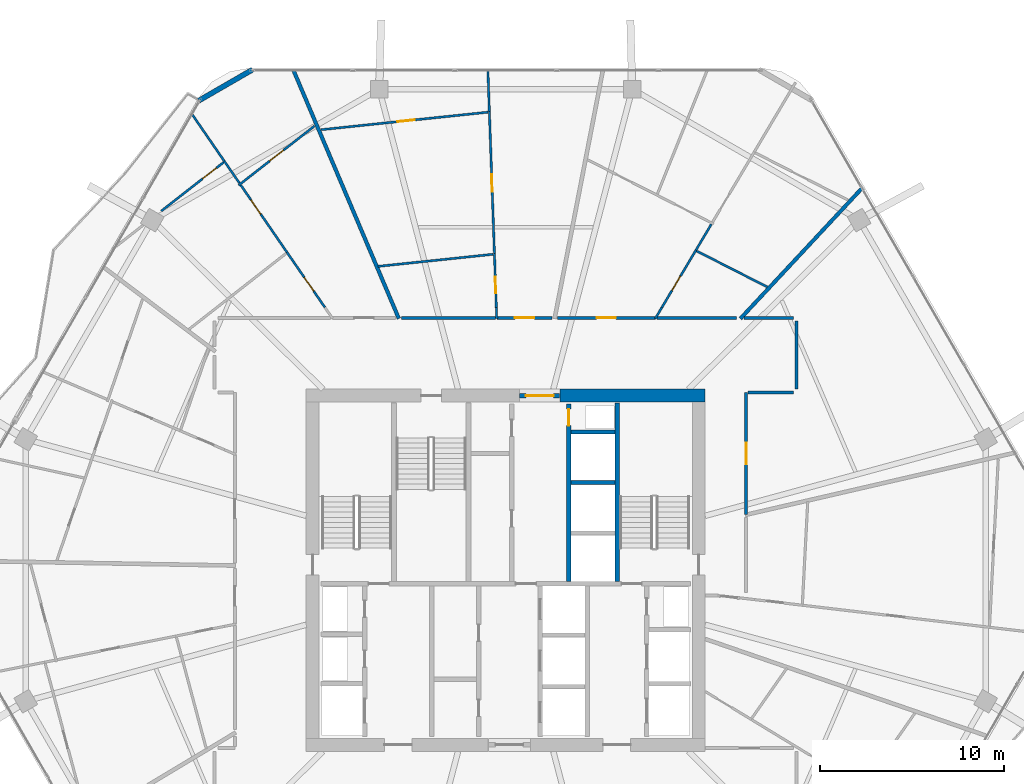
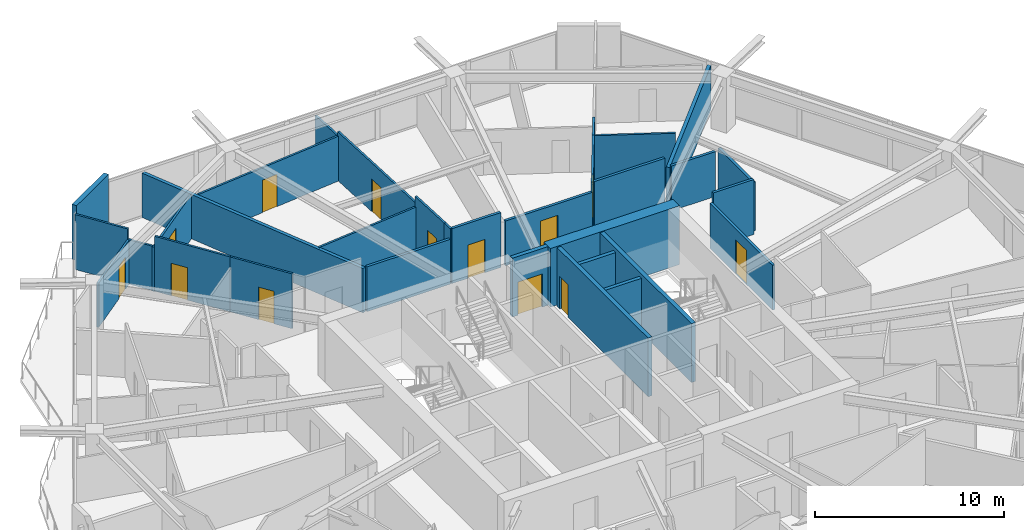
# One storey, part 21 of 26: 33 walls, 13 doors, 13 openings.
"""IFC4 building model written with IfcOpenShell, lengths in metres."""

from ifc_helpers import new_model, si_unit, direction, frame, frame_2d, origin, place, context, subcontext, project, spatial, rectangle, extrude, material, layer, layer_set, type_object, element, fill, save


model = new_model("IFC4")

# Units and contexts
model_context = context("Model", 3, precision=1e-05, world=origin(), true_north=direction((0.0, 1.0)))
body_context = subcontext(model_context, "Body", "Model", "MODEL_VIEW")
ifc_project = project(units=[si_unit("LENGTHUNIT", "METRE"), si_unit("AREAUNIT", "SQUARE_METRE"), si_unit("VOLUMEUNIT", "CUBIC_METRE"), si_unit("PLANEANGLEUNIT", "RADIAN"), si_unit("MASSUNIT", "GRAM", prefix="KILO")], contexts=[model_context])

# Site, building, storey
site_placement = place(None, origin())
site = spatial("IfcSite", under=ifc_project, at=site_placement, CompositionType="ELEMENT")
building_placement = place(site_placement, origin())
building = spatial("IfcBuilding", under=site, at=building_placement, Name="Zuhravey Tower", CompositionType="ELEMENT")
storey_placement = place(building_placement, frame((0.0, 0.0, 211.199951171875)))
storey = spatial("IfcBuildingStorey", under=building, at=storey_placement, Name="L53", CompositionType="ELEMENT", Elevation=211.199951171875)

# Wall
ifc_material_1 = material(Name="Concrete C60/75", Category="concrete")
ifc_layer_1 = layer(ifc_material_1, 0.699951171875)
ifc_layer_set_1 = layer_set([ifc_layer_1], Name="Concrete C60/75")
wall_type_1 = type_object("IfcWallType", Name="Core Shear Wall 700", PredefinedType="SHEAR", material=ifc_layer_set_1)
wall_1_placement = place(storey_placement, frame((46.85009765625, 41.5, 0.0), z_axis=(0.0, 0.0, 1.0), x_axis=(-1.0, 0.0, 0.0)))
element("IfcWall", 1, at=wall_1_placement, inside=storey, type_object=wall_type_1, Name="L53 North-East Core Shear Wall CW70", PredefinedType="SHEAR", context=body_context, shape_type="SweptSolid", body=[
    extrude(rectangle(XDim=7.900146484375, YDim=0.699951171875, at=frame_2d((3.9501953125, 0.0))), origin(), (0.0, 0.0, 1.0), 3.800048828125),
])

# Wall, opening, door
ifc_material_2 = material(Name="Gypsum fire-rated stud partition")
ifc_layer_2 = layer(ifc_material_2, 0.159912109375)
ifc_layer_set_2 = layer_set([ifc_layer_2], Name="Gypsum fire-rated stud partition")
wall_type_2 = type_object("IfcWallType", Name="Corridor Fire Partition 160", PredefinedType="PARTITIONING", material=ifc_layer_set_2)
wall_2_placement = place(storey_placement, frame((44.135498046875, 45.72998046875, 0.0), z_axis=(0.0, 0.0, 1.0), x_axis=(-1.0, 0.0, 0.0)))
wall_2 = element("IfcWall", 2, at=wall_2_placement, inside=storey, type_object=wall_type_2, Name="L53 IW16 Partition 025", PredefinedType="PARTITIONING", context=body_context, shape_type="SweptSolid", body=[
    extrude(rectangle(XDim=5.32177734375, YDim=0.159912109375, at=frame_2d((2.660888671875, 0.0))), origin(), (0.0, 0.0, 1.0), 2.900146484375),
])
opening_1_placement = place(wall_2_placement, frame((2.135986328125, 0.0, 0.0)))
opening_1 = element("IfcOpeningElement", 3, at=opening_1_placement, cuts=wall_2, Name="Opening APD1", PredefinedType="OPENING", context=body_context, shape_type="SweptSolid", body=[
    extrude(rectangle(XDim=1.050048828125, YDim=2.14990234375, at=frame_2d((0.52490234375, 1.074951171875))), frame((0.0, 0.092041015625, 0.0), z_axis=(0.0, -1.0, 0.0), x_axis=(1.0, 0.0, 0.0)), (0.0, 0.0, 1.0), 0.183837890625),
])
ifc_material_3 = material(Name="Solid-core oak fire-rated leaf")
door_type_1 = type_object("IfcDoorType", Name="Apartment Entrance Fire Door 1050x2150", OperationType="NOTDEFINED", PredefinedType="DOOR", material=ifc_material_3)
door_1_placement = place(opening_1_placement, frame((1.050048828125, 0.0, 0.0), z_axis=(0.0, 0.0, 1.0), x_axis=(-1.0, 0.0, 0.0)))
door_1 = element("IfcDoor", 4, at=door_1_placement, inside=storey, type_object=door_type_1, Name="L53 Door 025.1", OperationType="SINGLE_SWING_RIGHT", OverallHeight=2.14990234375, OverallWidth=1.050048828125, PredefinedType="DOOR", context=body_context, shape_type="SweptSolid", body=[
    extrude(rectangle(XDim=1.050048828125, YDim=2.14990234375, at=frame_2d((0.52490234375, 1.074951171875))), frame((0.0, 0.02490234375, 0.0), z_axis=(0.0, -1.0, 0.0), x_axis=(1.0, 0.0, 0.0)), (0.0, 0.0, 1.0), 0.050048828125),
])
fill(opening_1, door_1)

wall_3_placement = place(storey_placement, frame((38.5244140625, 45.72998046875, 0.0), z_axis=(0.0, 0.0, 1.0), x_axis=(-1.0, 0.0, 0.0)))
wall_3 = element("IfcWall", 5, at=wall_3_placement, inside=storey, type_object=wall_type_2, Name="L53 IW16 Partition 029", PredefinedType="PARTITIONING", context=body_context, shape_type="SweptSolid", body=[
    extrude(rectangle(XDim=2.993408203125, YDim=0.159912109375, at=frame_2d((1.49658203125, 0.0))), origin(), (0.0, 0.0, 1.0), 3.550048828125),
])
opening_2_placement = place(wall_3_placement, frame((0.9716796875, 0.0, 0.0)))
opening_2 = element("IfcOpeningElement", 6, at=opening_2_placement, cuts=wall_3, Name="Opening APD1", PredefinedType="OPENING", context=body_context, shape_type="SweptSolid", body=[
    extrude(rectangle(XDim=1.050048828125, YDim=2.14990234375, at=frame_2d((0.52490234375, 1.074951171875))), frame((0.0, 0.092041015625, 0.0), z_axis=(0.0, -1.0, 0.0), x_axis=(1.0, 0.0, 0.0)), (0.0, 0.0, 1.0), 0.183837890625),
])
door_2_placement = place(opening_2_placement, frame((1.050048828125, 0.0, 0.0), z_axis=(0.0, 0.0, 1.0), x_axis=(-1.0, 0.0, 0.0)))
door_2 = element("IfcDoor", 7, at=door_2_placement, inside=storey, type_object=door_type_1, Name="L53 Door 029.1", OperationType="SINGLE_SWING_RIGHT", OverallHeight=2.14990234375, OverallWidth=1.050048828125, PredefinedType="DOOR", context=body_context, shape_type="SweptSolid", body=[
    extrude(rectangle(XDim=1.050048828125, YDim=2.14990234375, at=frame_2d((0.52490234375, 1.074951171875))), frame((0.0, 0.02490234375, 0.0), z_axis=(0.0, -1.0, 0.0), x_axis=(1.0, 0.0, 0.0)), (0.0, 0.0, 1.0), 0.050048828125),
])
fill(opening_2, door_2)

wall_4_placement = place(storey_placement, frame((49.080078125, 35.040283203125, 0.0), z_axis=(0.0, 0.0, 1.0), x_axis=(0.0, 1.0, 0.0)))
wall_4 = element("IfcWall", 8, at=wall_4_placement, inside=storey, type_object=wall_type_2, Name="L53 IW16 Partition 069", PredefinedType="PARTITIONING", context=body_context, shape_type="SweptSolid", body=[
    extrude(rectangle(XDim=6.629638671875, YDim=0.159912109375, at=frame_2d((3.31494140625, 0.0))), origin(), (0.0, 0.0, 1.0), 2.900146484375),
])
opening_3_placement = place(wall_4_placement, frame((2.73974609375, 0.0, 0.0)))
opening_3 = element("IfcOpeningElement", 9, at=opening_3_placement, cuts=wall_4, Name="Opening CLD1", PredefinedType="OPENING", context=body_context, shape_type="SweptSolid", body=[
    extrude(rectangle(XDim=1.14990234375, YDim=2.199951171875, at=frame_2d((0.574951171875, 1.10009765625))), frame((0.0, 0.092041015625, 0.0), z_axis=(0.0, -1.0, 0.0), x_axis=(1.0, 0.0, 0.0)), (0.0, 0.0, 1.0), 0.183837890625),
])
ifc_material_4 = material(Name="Acoustic timber leaf with vision lite", Category="wood")
door_type_2 = type_object("IfcDoorType", Name="Classroom Acoustic Door 1150x2200", OperationType="NOTDEFINED", PredefinedType="DOOR", material=ifc_material_4)
door_3_placement = place(opening_3_placement, frame((1.14990234375, 0.0, 0.0), z_axis=(0.0, 0.0, 1.0), x_axis=(-1.0, 0.0, 0.0)))
door_3 = element("IfcDoor", 10, at=door_3_placement, inside=storey, type_object=door_type_2, Name="L53 Door 069.1", OperationType="SINGLE_SWING_RIGHT", OverallHeight=2.199951171875, OverallWidth=1.14990234375, PredefinedType="DOOR", context=body_context, shape_type="SweptSolid", body=[
    extrude(rectangle(XDim=1.14990234375, YDim=2.199951171875, at=frame_2d((0.574951171875, 1.10009765625))), frame((0.0, 0.02490234375, 0.0), z_axis=(0.0, -1.0, 0.0), x_axis=(1.0, 0.0, 0.0)), (0.0, 0.0, 1.0), 0.050048828125),
])
fill(opening_3, door_3)

# Walls
wall_5_placement = place(storey_placement, frame((48.55419921875, 45.72998046875, 0.0), z_axis=(0.0, 0.0, 1.0), x_axis=(-1.0, 0.0, 0.0)))
element("IfcWall", 11, at=wall_5_placement, inside=storey, type_object=wall_type_2, Name="L53 IW16 Partition 122", PredefinedType="PARTITIONING", context=body_context, shape_type="SweptSolid", body=[
    extrude(rectangle(XDim=4.31640625, YDim=0.159912109375, at=frame_2d((2.158203125, 0.0))), origin(), (0.0, 0.0, 1.0), 3.550048828125),
])
wall_6_placement = place(storey_placement, frame((35.44287109375, 45.72998046875, 0.0), z_axis=(0.0, 0.0, 1.0), x_axis=(-1.0, 0.0, 0.0)))
element("IfcWall", 12, at=wall_6_placement, inside=storey, type_object=wall_type_2, Name="L53 IW16 Partition 123", PredefinedType="PARTITIONING", context=body_context, shape_type="SweptSolid", body=[
    extrude(rectangle(XDim=5.1083984375, YDim=0.159912109375, at=frame_2d((2.55419921875, 0.0))), origin(), (0.0, 0.0, 1.0), 2.900146484375),
])
wall_7_placement = place(storey_placement, frame((51.830078125, 41.85009765625, 0.0), z_axis=(0.0, 0.0, 1.0), x_axis=(0.0, 1.0, 0.0)))
element("IfcWall", 13, at=wall_7_placement, inside=storey, type_object=wall_type_2, Name="L53 IW16 Partition 140", PredefinedType="PARTITIONING", context=body_context, shape_type="SweptSolid", body=[
    extrude(rectangle(XDim=3.699951171875, YDim=0.159912109375, at=frame_2d((1.85009765625, 0.0))), origin(), (0.0, 0.0, 1.0), 3.150146484375),
])
wall_8_placement = place(storey_placement, frame((51.64990234375, 45.72998046875, 0.0), z_axis=(0.0, 0.0, 1.0), x_axis=(-1.0, 0.0, 0.0)))
element("IfcWall", 14, at=wall_8_placement, inside=storey, type_object=wall_type_2, Name="L53 IW16 Partition 141", PredefinedType="PARTITIONING", context=body_context, shape_type="SweptSolid", body=[
    extrude(rectangle(XDim=2.69873046875, YDim=0.159912109375, at=frame_2d((1.349365234375, 0.0))), origin(), (0.0, 0.0, 1.0), 2.900146484375),
])
wall_9_placement = place(storey_placement, frame((49.16796875, 41.669921875, 0.0), z_axis=(0.0, 0.0, 1.0), x_axis=(1.0, 0.0, 0.0)))
element("IfcWall", 15, at=wall_9_placement, inside=storey, type_object=wall_type_2, Name="L53 IW16 Partition 142", PredefinedType="PARTITIONING", context=body_context, shape_type="SweptSolid", body=[
    extrude(rectangle(XDim=2.48193359375, YDim=0.159912109375, at=frame_2d((1.240966796875, 0.0))), origin(), (0.0, 0.0, 1.0), 3.550048828125),
])
ifc_material_5 = material(Name="Precast concrete C40/50", Category="concrete")
ifc_layer_3 = layer(ifc_material_5, 0.280029296875)
ifc_layer_set_3 = layer_set([ifc_layer_3], Name="Precast concrete C40/50")
wall_type_3 = type_object("IfcWallType", Name="Crown Architectural Wall 280", PredefinedType="SOLIDWALL", material=ifc_layer_set_3)
wall_10_placement = place(storey_placement, frame((19.306884765625, 57.548095703125, 0.0), z_axis=(0.0, 0.0, 1.0), x_axis=(0.866020068361, 0.500009241111, 0.0)))
element("IfcWall", 16, at=wall_10_placement, inside=storey, type_object=wall_type_3, Name="L53 Rounded Corner Closure Wall EW28-08", PredefinedType="SOLIDWALL", context=body_context, shape_type="SweptSolid", body=[
    extrude(rectangle(XDim=3.365234375, YDim=0.280029296875, at=frame_2d((1.6826171875, 0.0))), origin(), (0.0, 0.0, 1.0), 3.550048828125),
])

# Wall, opening, door
ifc_material_6 = material(Name="Concrete C50/60", Category="concrete")
ifc_layer_4 = layer(ifc_material_6, 0.25)
ifc_layer_set_4 = layer_set([ifc_layer_4], Name="Concrete C50/60")
wall_type_4 = type_object("IfcWallType", Name="Firefighting Shaft & Stair Wall 250", PredefinedType="SOLIDWALL", material=ifc_layer_set_4)
wall_11_placement = place(storey_placement, frame((36.760009765625, 41.5, 0.0), z_axis=(0.0, 0.0, 1.0), x_axis=(1.0, 0.0, 0.0)))
wall_11 = element("IfcWall", 17, at=wall_11_placement, inside=storey, type_object=wall_type_4, Name="L53 FW25 Shaft Wall 002", PredefinedType="SOLIDWALL", context=body_context, shape_type="SweptSolid", body=[
    extrude(rectangle(XDim=2.179931640625, YDim=0.25, at=frame_2d((1.08984375, 0.0))), origin(), (0.0, 0.0, 1.0), 3.800048828125),
])
opening_4_placement = place(wall_11_placement, frame((0.340087890625, 0.0, 0.0)))
opening_4 = element("IfcOpeningElement", 18, at=opening_4_placement, cuts=wall_11, Name="Opening FFD1", PredefinedType="OPENING", context=body_context, shape_type="SweptSolid", body=[
    extrude(rectangle(XDim=1.5, YDim=2.14990234375, at=frame_2d((0.75, 1.074951171875))), frame((0.0, 0.136962890625, 0.0), z_axis=(0.0, -1.0, 0.0), x_axis=(1.0, 0.0, 0.0)), (0.0, 0.0, 1.0), 0.27392578125),
])
ifc_material_7 = material(Name="Galvanised fire-rated steel leaf", Category="steel")
door_type_3 = type_object("IfcDoorType", Name="Firefighting Lobby Double Door 1500x2150", OperationType="DOUBLE_DOOR_SINGLE_SWING", PredefinedType="DOOR", material=ifc_material_7)
door_4_placement = place(opening_4_placement, origin())
door_4 = element("IfcDoor", 19, at=door_4_placement, inside=storey, type_object=door_type_3, Name="L53 North Lift Lobby Exit Door", OperationType="DOUBLE_DOOR_SINGLE_SWING", OverallHeight=2.14990234375, OverallWidth=1.5, PredefinedType="DOOR", context=body_context, shape_type="SweptSolid", body=[
    extrude(rectangle(XDim=1.5, YDim=2.14990234375, at=frame_2d((0.75, 1.074951171875))), frame((0.0, 0.02490234375, 0.0), z_axis=(0.0, -1.0, 0.0), x_axis=(1.0, 0.0, 0.0)), (0.0, 0.0, 1.0), 0.050048828125),
])
fill(opening_4, door_4)

# Wall
wall_12_placement = place(storey_placement, frame((42.074951171875, 31.39990234375, 0.0), z_axis=(0.0, 0.0, 1.0), x_axis=(0.0, 1.0, 0.0)))
element("IfcWall", 20, at=wall_12_placement, inside=storey, type_object=wall_type_4, Name="L53 FW25 Shaft Wall 006", PredefinedType="SOLIDWALL", context=body_context, shape_type="SweptSolid", body=[
    extrude(rectangle(XDim=9.7001953125, YDim=0.25, at=frame_2d((4.85009765625, 0.0))), origin(), (0.0, 0.0, 1.0), 3.800048828125),
])

# Wall, opening, door
wall_13_placement = place(storey_placement, frame((39.425048828125, 31.39990234375, 0.0), z_axis=(0.0, 0.0, 1.0), x_axis=(0.0, 1.0, 0.0)))
wall_13 = element("IfcWall", 21, at=wall_13_placement, inside=storey, type_object=wall_type_4, Name="L53 FW25 Shaft Wall 008", PredefinedType="SOLIDWALL", context=body_context, shape_type="SweptSolid", body=[
    extrude(rectangle(XDim=9.650146484375, YDim=0.25, at=frame_2d((4.8251953125, 0.0))), origin(), (0.0, 0.0, 1.0), 3.800048828125),
])
opening_5_placement = place(wall_13_placement, frame((8.469970703125, 0.0, 0.0)))
opening_5 = element("IfcOpeningElement", 22, at=opening_5_placement, cuts=wall_13, Name="Opening RSD1", PredefinedType="OPENING", context=body_context, shape_type="SweptSolid", body=[
    extrude(rectangle(XDim=0.89990234375, YDim=2.10009765625, at=frame_2d((0.449951171875, 1.050048828125))), frame((0.0, 0.136962890625, 0.0), z_axis=(0.0, -1.0, 0.0), x_axis=(1.0, 0.0, 0.0)), (0.0, 0.0, 1.0), 0.27392578125),
])
ifc_material_8 = material(Name="Galvanised fire-rated steel access leaf", Category="steel")
door_type_4 = type_object("IfcDoorType", Name="Riser & Shaft Access Fire Door 900x2100", OperationType="NOTDEFINED", PredefinedType="DOOR", material=ifc_material_8)
door_5_placement = place(opening_5_placement, origin())
door_5 = element("IfcDoor", 23, at=door_5_placement, inside=storey, type_object=door_type_4, Name="L53 North Riser Door", OperationType="SINGLE_SWING_LEFT", OverallHeight=2.10009765625, OverallWidth=0.89990234375, PredefinedType="DOOR", context=body_context, shape_type="SweptSolid", body=[
    extrude(rectangle(XDim=0.89990234375, YDim=2.10009765625, at=frame_2d((0.449951171875, 1.050048828125))), frame((0.0, 0.02490234375, 0.0), z_axis=(0.0, -1.0, 0.0), x_axis=(1.0, 0.0, 0.0)), (0.0, 0.0, 1.0), 0.050048828125),
])
fill(opening_5, door_5)

# Walls
ifc_material_9 = material(Name="Gypsum double-stud party assembly")
ifc_layer_5 = layer(ifc_material_9, 0.199951171875)
ifc_layer_set_5 = layer_set([ifc_layer_5], Name="Gypsum double-stud party assembly")
wall_type_5 = type_object("IfcWallType", Name="Inter-Tenancy Party Wall 200", PredefinedType="PARTITIONING", material=ifc_layer_set_5)
wall_14_placement = place(storey_placement, frame((48.76611328125, 45.68994140625, 0.0), z_axis=(0.0, 0.0, 1.0), x_axis=(0.682001842328, 0.731350454338, 0.0)))
element("IfcWall", 24, at=wall_14_placement, inside=storey, type_object=wall_type_5, Name="L53 IW20 Partition 076", PredefinedType="PARTITIONING", context=body_context, shape_type="SweptSolid", body=[
    extrude(rectangle(XDim=9.70654296875, YDim=0.199951171875, at=frame_2d((4.853271484375, 0.0))), origin(), (0.0, 0.0, 1.0), 2.8701171875),
])
wall_15_placement = place(storey_placement, frame((30.18896484375, 45.68994140625, 0.0), z_axis=(0.0, 0.0, 1.0), x_axis=(-0.390732904656, 0.920504099512, 0.0)))
element("IfcWall", 25, at=wall_15_placement, inside=storey, type_object=wall_type_5, Name="L53 IW20 Partition 085", PredefinedType="PARTITIONING", context=body_context, shape_type="SweptSolid", body=[
    extrude(rectangle(XDim=14.658447265625, YDim=0.199951171875, at=frame_2d((7.3291015625, 0.0))), origin(), (0.0, 0.0, 1.0), 2.8701171875),
])
ifc_material_10 = material(Name="Gypsum acoustic stud assembly")
ifc_layer_6 = layer(ifc_material_10, 0.219970703125)
ifc_layer_set_6 = layer_set([ifc_layer_6], Name="Gypsum acoustic stud assembly")
wall_type_6 = type_object("IfcWallType", Name="School Acoustic Compartment Wall 220", PredefinedType="PARTITIONING", material=ifc_layer_set_6)
for number, where, z_axis, x_axis, name in (
    (26, (39.55810546875, 36.77490234375, 0.0), (0.0, 0.0, 1.0), (1.0, 0.0, 0.0), "L53 IW22 Partition 072"),
    (27, (39.55810546875, 39.52490234375, 0.0), (0.0, 0.0, 1.0), (1.0, 0.0, 0.0), "L53 IW22 Partition 073"),
):
    element("IfcWall", number, at=place(storey_placement, frame(where, z_axis=z_axis, x_axis=x_axis)), inside=storey, type_object=wall_type_6, Name=name, PredefinedType="PARTITIONING", context=body_context, shape_type="SweptSolid", body=[
        extrude(rectangle(XDim=2.3837890625, YDim=0.219970703125, at=frame_2d((1.19189453125, 0.0))), origin(), (0.0, 0.0, 1.0), 3.550048828125),
    ])

# Wall, opening, door
ifc_material_11 = material(Name="Gypsum metal-stud partition")
ifc_layer_7 = layer(ifc_material_11, 0.1201171875)
ifc_layer_set_7 = layer_set([ifc_layer_7], Name="Gypsum metal-stud partition")
wall_type_7 = type_object("IfcWallType", Name="Unit Internal Partition 120", PredefinedType="PARTITIONING", material=ifc_layer_set_7)
wall_16_placement = place(storey_placement, frame((44.49755859375, 46.300048828125, 0.0), z_axis=(0.0, 0.0, 1.0), x_axis=(0.510815768273, 0.859690206344, 0.0)))
wall_16 = element("IfcWall", 28, at=wall_16_placement, inside=storey, type_object=wall_type_7, Name="L53 IW12 Partition 021", PredefinedType="PARTITIONING", context=body_context, shape_type="SweptSolid", body=[
    extrude(rectangle(XDim=3.624267578125, YDim=0.1201171875, at=frame_2d((1.81201171875, 0.0))), origin(), (0.0, 0.0, 1.0), 3.550048828125),
])
opening_6_placement = place(wall_16_placement, frame((1.072265625, 0.0, 0.0)))
opening_6 = element("IfcOpeningElement", 29, at=opening_6_placement, cuts=wall_16, Name="Opening WCD1", PredefinedType="OPENING", context=body_context, shape_type="SweptSolid", body=[
    extrude(rectangle(XDim=0.89990234375, YDim=2.10009765625, at=frame_2d((0.449951171875, 1.050048828125))), frame((0.0, 0.072021484375, 0.0), z_axis=(0.0, -1.0, 0.0), x_axis=(1.0, 0.0, 0.0)), (0.0, 0.0, 1.0), 0.14404296875),
])
ifc_material_12 = material(Name="Moisture-resistant timber leaf", Category="wood")
door_type_5 = type_object("IfcDoorType", Name="Bathroom & WC Internal Door 900x2100", OperationType="NOTDEFINED", PredefinedType="DOOR", material=ifc_material_12)
door_6_placement = place(opening_6_placement, frame((0.89990234375, 0.0, 0.0), z_axis=(0.0, 0.0, 1.0), x_axis=(-1.0, 0.0, 0.0)))
door_6 = element("IfcDoor", 30, at=door_6_placement, inside=storey, type_object=door_type_5, Name="Apartment L53-01 Bathroom Door", OperationType="SINGLE_SWING_LEFT", OverallHeight=2.10009765625, OverallWidth=0.89990234375, PredefinedType="DOOR", context=body_context, shape_type="SweptSolid", body=[
    extrude(rectangle(XDim=0.89990234375, YDim=2.10009765625, at=frame_2d((0.449951171875, 1.050048828125))), frame((0.0, 0.02490234375, 0.0), z_axis=(0.0, -1.0, 0.0), x_axis=(1.0, 0.0, 0.0)), (0.0, 0.0, 1.0), 0.050048828125),
])
fill(opening_6, door_6)

# Wall
wall_17_placement = place(storey_placement, frame((46.34912109375, 49.415771484375, 0.0), z_axis=(0.0, 0.0, 1.0), x_axis=(0.510810635224, 0.859693256308, 0.0)))
element("IfcWall", 31, at=wall_17_placement, inside=storey, type_object=wall_type_7, Name="L53 IW12 Partition 022", PredefinedType="PARTITIONING", context=body_context, shape_type="SweptSolid", body=[
    extrude(rectangle(XDim=1.638916015625, YDim=0.1201171875, at=frame_2d((0.8193359375, 0.0))), origin(), (0.0, 0.0, 1.0), 3.550048828125),
])

# Wall, opening, door
wall_18_placement = place(storey_placement, frame((35.490478515625, 46.300048828125, 0.0), z_axis=(0.0, 0.0, 1.0), x_axis=(-0.035486032523, 0.999370172406, 0.0)))
wall_18 = element("IfcWall", 32, at=wall_18_placement, inside=storey, type_object=wall_type_7, Name="L53 IW12 Partition 026", PredefinedType="PARTITIONING", context=body_context, shape_type="SweptSolid", body=[
    extrude(rectangle(XDim=2.924072265625, YDim=0.1201171875, at=frame_2d((1.4619140625, 0.0))), origin(), (0.0, 0.0, 1.0), 3.550048828125),
])
opening_7_placement = place(wall_18_placement, frame((0.778076171875, 0.0, 0.0)))
opening_7 = element("IfcOpeningElement", 33, at=opening_7_placement, cuts=wall_18, Name="Opening WCD1", PredefinedType="OPENING", context=body_context, shape_type="SweptSolid", body=[
    extrude(rectangle(XDim=0.89990234375, YDim=2.10009765625, at=frame_2d((0.449951171875, 1.050048828125))), frame((0.0, 0.072021484375, 0.0), z_axis=(0.0, -1.0, 0.0), x_axis=(1.0, 0.0, 0.0)), (0.0, 0.0, 1.0), 0.14404296875),
])
door_7_placement = place(opening_7_placement, origin())
door_7 = element("IfcDoor", 34, at=door_7_placement, inside=storey, type_object=door_type_5, Name="Apartment L53-02 Bathroom Door", OperationType="SINGLE_SWING_LEFT", OverallHeight=2.10009765625, OverallWidth=0.89990234375, PredefinedType="DOOR", context=body_context, shape_type="SweptSolid", body=[
    extrude(rectangle(XDim=0.89990234375, YDim=2.10009765625, at=frame_2d((0.449951171875, 1.050048828125))), frame((0.0, 0.02490234375, 0.0), z_axis=(0.0, -1.0, 0.0), x_axis=(1.0, 0.0, 0.0)), (0.0, 0.0, 1.0), 0.050048828125),
])
fill(opening_7, door_7)

wall_19_placement = place(storey_placement, frame((35.386474609375, 49.22216796875, 0.0), z_axis=(0.0, 0.0, 1.0), x_axis=(-0.035603715275, 0.999365986743, 0.0)))
wall_19 = element("IfcWall", 35, at=wall_19_placement, inside=storey, type_object=wall_type_7, Name="L53 IW12 Partition 027", PredefinedType="PARTITIONING", context=body_context, shape_type="SweptSolid", body=[
    extrude(rectangle(XDim=7.73486328125, YDim=0.1201171875, at=frame_2d((3.867431640625, 0.0))), origin(), (0.0, 0.0, 1.0), 3.150146484375),
])
opening_8_placement = place(wall_19_placement, frame((3.367431640625, 0.0, 0.0)))
opening_8 = element("IfcOpeningElement", 36, at=opening_8_placement, cuts=wall_19, Name="Opening IND1", PredefinedType="OPENING", context=body_context, shape_type="SweptSolid", body=[
    extrude(rectangle(XDim=0.949951171875, YDim=2.10009765625, at=frame_2d((0.47509765625, 1.050048828125))), frame((0.0, 0.072021484375, 0.0), z_axis=(0.0, -1.0, 0.0), x_axis=(1.0, 0.0, 0.0)), (0.0, 0.0, 1.0), 0.14404296875),
])
ifc_material_13 = material(Name="Painted engineered timber leaf", Category="wood")
door_type_6 = type_object("IfcDoorType", Name="Internal Room & Bedroom Door 950x2100", OperationType="NOTDEFINED", PredefinedType="DOOR", material=ifc_material_13)
door_8_placement = place(opening_8_placement, origin())
door_8 = element("IfcDoor", 37, at=door_8_placement, inside=storey, type_object=door_type_6, Name="Apartment L53-02 Home Office Door", OperationType="SINGLE_SWING_RIGHT", OverallHeight=2.10009765625, OverallWidth=0.949951171875, PredefinedType="DOOR", context=body_context, shape_type="SweptSolid", body=[
    extrude(rectangle(XDim=0.949951171875, YDim=2.10009765625, at=frame_2d((0.47509765625, 1.050048828125))), frame((0.0, 0.02490234375, 0.0), z_axis=(0.0, -1.0, 0.0), x_axis=(1.0, 0.0, 0.0)), (0.0, 0.0, 1.0), 0.050048828125),
])
fill(opening_8, door_8)

wall_20_placement = place(storey_placement, frame((35.044189453125, 56.919921875, 0.0), z_axis=(0.0, 0.0, 1.0), x_axis=(-0.994523900714, -0.104509381914, 0.0)))
wall_20 = element("IfcWall", 38, at=wall_20_placement, inside=storey, type_object=wall_type_7, Name="L53 IW12 Partition 028", PredefinedType="PARTITIONING", context=body_context, shape_type="SweptSolid", body=[
    extrude(rectangle(XDim=9.12939453125, YDim=0.1201171875, at=frame_2d((4.564697265625, 0.0))), origin(), (0.0, 0.0, 1.0), 2.900146484375),
])
opening_9_placement = place(wall_20_placement, frame((4.005615234375, 0.0, 0.0)))
opening_9 = element("IfcOpeningElement", 39, at=opening_9_placement, cuts=wall_20, Name="Opening IND1", PredefinedType="OPENING", context=body_context, shape_type="SweptSolid", body=[
    extrude(rectangle(XDim=0.949951171875, YDim=2.10009765625, at=frame_2d((0.47509765625, 1.050048828125))), frame((0.0, 0.072021484375, 0.0), z_axis=(0.0, -1.0, 0.0), x_axis=(1.0, 0.0, 0.0)), (0.0, 0.0, 1.0), 0.14404296875),
])
door_9_placement = place(opening_9_placement, frame((0.949951171875, 0.0, 0.0), z_axis=(0.0, 0.0, 1.0), x_axis=(-1.0, 0.0, 0.0)))
door_9 = element("IfcDoor", 40, at=door_9_placement, inside=storey, type_object=door_type_6, Name="Apartment L53-02 Bedroom 1 Door", OperationType="SINGLE_SWING_LEFT", OverallHeight=2.10009765625, OverallWidth=0.949951171875, PredefinedType="DOOR", context=body_context, shape_type="SweptSolid", body=[
    extrude(rectangle(XDim=0.949951171875, YDim=2.10009765625, at=frame_2d((0.47509765625, 1.050048828125))), frame((0.0, 0.02490234375, 0.0), z_axis=(0.0, -1.0, 0.0), x_axis=(1.0, 0.0, 0.0)), (0.0, 0.0, 1.0), 0.050048828125),
])
fill(opening_9, door_9)

wall_21_placement = place(storey_placement, frame((25.60009765625, 56.168701171875, 0.0), z_axis=(0.0, 0.0, 1.0), x_axis=(-0.788007411646, -0.615665752816, 0.0)))
wall_21 = element("IfcWall", 41, at=wall_21_placement, inside=storey, type_object=wall_type_7, Name="L53 IW12 Partition 030", PredefinedType="PARTITIONING", context=body_context, shape_type="SweptSolid", body=[
    extrude(rectangle(XDim=5.2373046875, YDim=0.1201171875, at=frame_2d((2.61865234375, 0.0))), origin(), (0.0, 0.0, 1.0), 2.8701171875),
])
opening_10_placement = place(wall_21_placement, frame((2.1435546875, 0.0, 0.0)))
opening_10 = element("IfcOpeningElement", 42, at=opening_10_placement, cuts=wall_21, Name="Opening IND1", PredefinedType="OPENING", context=body_context, shape_type="SweptSolid", body=[
    extrude(rectangle(XDim=0.949951171875, YDim=2.10009765625, at=frame_2d((0.47509765625, 1.050048828125))), frame((0.0, 0.072021484375, 0.0), z_axis=(0.0, -1.0, 0.0), x_axis=(1.0, 0.0, 0.0)), (0.0, 0.0, 1.0), 0.14404296875),
])
door_10_placement = place(opening_10_placement, frame((0.949951171875, 0.0, 0.0), z_axis=(0.0, 0.0, 1.0), x_axis=(-1.0, 0.0, 0.0)))
door_10 = element("IfcDoor", 43, at=door_10_placement, inside=storey, type_object=door_type_6, Name="Apartment L53-03 Family Study Door", OperationType="SINGLE_SWING_LEFT", OverallHeight=2.10009765625, OverallWidth=0.949951171875, PredefinedType="DOOR", context=body_context, shape_type="SweptSolid", body=[
    extrude(rectangle(XDim=0.949951171875, YDim=2.10009765625, at=frame_2d((0.47509765625, 1.050048828125))), frame((0.0, 0.02490234375, 0.0), z_axis=(0.0, -1.0, 0.0), x_axis=(1.0, 0.0, 0.0)), (0.0, 0.0, 1.0), 0.050048828125),
])
fill(opening_10, door_10)

wall_22_placement = place(storey_placement, frame((26.16455078125, 46.300048828125, 0.0), z_axis=(0.0, 0.0, 1.0), x_axis=(-0.566727772042, 0.823905111282, 0.0)))
wall_22 = element("IfcWall", 44, at=wall_22_placement, inside=storey, type_object=wall_type_7, Name="L53 IW12 Partition 031", PredefinedType="PARTITIONING", context=body_context, shape_type="SweptSolid", body=[
    extrude(rectangle(XDim=3.645263671875, YDim=0.1201171875, at=frame_2d((1.82275390625, 0.0))), origin(), (0.0, 0.0, 1.0), 3.550048828125),
])
opening_11_placement = place(wall_22_placement, frame((1.0810546875, 0.0, 0.0)))
opening_11 = element("IfcOpeningElement", 45, at=opening_11_placement, cuts=wall_22, Name="Opening WCD1", PredefinedType="OPENING", context=body_context, shape_type="SweptSolid", body=[
    extrude(rectangle(XDim=0.89990234375, YDim=2.10009765625, at=frame_2d((0.449951171875, 1.050048828125))), frame((0.0, 0.072021484375, 0.0), z_axis=(0.0, -1.0, 0.0), x_axis=(1.0, 0.0, 0.0)), (0.0, 0.0, 1.0), 0.14404296875),
])
door_11_placement = place(opening_11_placement, origin())
door_11 = element("IfcDoor", 46, at=door_11_placement, inside=storey, type_object=door_type_5, Name="Apartment L53-03 Bathroom Door", OperationType="SINGLE_SWING_RIGHT", OverallHeight=2.10009765625, OverallWidth=0.89990234375, PredefinedType="DOOR", context=body_context, shape_type="SweptSolid", body=[
    extrude(rectangle(XDim=0.89990234375, YDim=2.10009765625, at=frame_2d((0.449951171875, 1.050048828125))), frame((0.0, 0.02490234375, 0.0), z_axis=(0.0, -1.0, 0.0), x_axis=(1.0, 0.0, 0.0)), (0.0, 0.0, 1.0), 0.050048828125),
])
fill(opening_11, door_11)

wall_23_placement = place(storey_placement, frame((24.0986328125, 49.303466796875, 0.0), z_axis=(0.0, 0.0, 1.0), x_axis=(-0.566659925213, 0.823951775991, 0.0)))
wall_23 = element("IfcWall", 47, at=wall_23_placement, inside=storey, type_object=wall_type_7, Name="L53 IW12 Partition 032", PredefinedType="PARTITIONING", context=body_context, shape_type="SweptSolid", body=[
    extrude(rectangle(XDim=4.425537109375, YDim=0.1201171875, at=frame_2d((2.212890625, 0.0))), origin(), (0.0, 0.0, 1.0), 3.550048828125),
])
opening_12_placement = place(wall_23_placement, frame((2.50390625, 0.0, 0.0)))
opening_12 = element("IfcOpeningElement", 48, at=opening_12_placement, cuts=wall_23, Name="Opening IND1", PredefinedType="OPENING", context=body_context, shape_type="SweptSolid", body=[
    extrude(rectangle(XDim=0.949951171875, YDim=2.10009765625, at=frame_2d((0.47509765625, 1.050048828125))), frame((0.0, 0.072021484375, 0.0), z_axis=(0.0, -1.0, 0.0), x_axis=(1.0, 0.0, 0.0)), (0.0, 0.0, 1.0), 0.14404296875),
])
door_12_placement = place(opening_12_placement, origin())
door_12 = element("IfcDoor", 49, at=door_12_placement, inside=storey, type_object=door_type_6, Name="Apartment L53-03 Home Office Door", OperationType="SINGLE_SWING_LEFT", OverallHeight=2.10009765625, OverallWidth=0.949951171875, PredefinedType="DOOR", context=body_context, shape_type="SweptSolid", body=[
    extrude(rectangle(XDim=0.949951171875, YDim=2.10009765625, at=frame_2d((0.47509765625, 1.050048828125))), frame((0.0, 0.02490234375, 0.0), z_axis=(0.0, -1.0, 0.0), x_axis=(1.0, 0.0, 0.0)), (0.0, 0.0, 1.0), 0.050048828125),
])
fill(opening_12, door_12)

# Wall
wall_24_placement = place(storey_placement, frame((21.513427734375, 53.062255859375, 0.0), z_axis=(0.0, 0.0, 1.0), x_axis=(-0.566722311628, 0.823908867232, 0.0)))
element("IfcWall", 50, at=wall_24_placement, inside=storey, type_object=wall_type_7, Name="L53 IW12 Partition 033", PredefinedType="PARTITIONING", context=body_context, shape_type="SweptSolid", body=[
    extrude(rectangle(XDim=1.44580078125, YDim=0.1201171875, at=frame_2d((0.722900390625, 0.0))), origin(), (0.0, 0.0, 1.0), 2.8701171875),
])

# Wall, opening, door
wall_25_placement = place(storey_placement, frame((20.654541015625, 54.19091796875, 0.0), z_axis=(0.0, 0.0, 1.0), x_axis=(-0.788021793937, -0.615647344086, 0.0)))
wall_25 = element("IfcWall", 51, at=wall_25_placement, inside=storey, type_object=wall_type_7, Name="L53 IW12 Partition 034", PredefinedType="PARTITIONING", context=body_context, shape_type="SweptSolid", body=[
    extrude(rectangle(XDim=4.30419921875, YDim=0.1201171875, at=frame_2d((2.152099609375, 0.0))), origin(), (0.0, 0.0, 1.0), 2.8701171875),
])
opening_13_placement = place(wall_25_placement, frame((0.492919921875, 0.0, 0.0)))
opening_13 = element("IfcOpeningElement", 52, at=opening_13_placement, cuts=wall_25, Name="Opening IND1", PredefinedType="OPENING", context=body_context, shape_type="SweptSolid", body=[
    extrude(rectangle(XDim=0.949951171875, YDim=2.10009765625, at=frame_2d((0.47509765625, 1.050048828125))), frame((0.0, 0.072021484375, 0.0), z_axis=(0.0, -1.0, 0.0), x_axis=(1.0, 0.0, 0.0)), (0.0, 0.0, 1.0), 0.14404296875),
])
door_13_placement = place(opening_13_placement, frame((0.949951171875, 0.0, 0.0), z_axis=(0.0, 0.0, 1.0), x_axis=(-1.0, 0.0, 0.0)))
door_13 = element("IfcDoor", 53, at=door_13_placement, inside=storey, type_object=door_type_6, Name="Apartment L53-03 Kitchen Door", OperationType="SINGLE_SWING_RIGHT", OverallHeight=2.10009765625, OverallWidth=0.949951171875, PredefinedType="DOOR", context=body_context, shape_type="SweptSolid", body=[
    extrude(rectangle(XDim=0.949951171875, YDim=2.10009765625, at=frame_2d((0.47509765625, 1.050048828125))), frame((0.0, 0.02490234375, 0.0), z_axis=(0.0, -1.0, 0.0), x_axis=(1.0, 0.0, 0.0)), (0.0, 0.0, 1.0), 0.050048828125),
])
fill(opening_13, door_13)

# Walls
wall_26_placement = place(storey_placement, frame((44.135498046875, 45.69091796875, 0.0), z_axis=(0.0, 0.0, 1.0), x_axis=(0.510944675818, 0.859613598225, 0.0)))
element("IfcWall", 54, at=wall_26_placement, inside=storey, type_object=wall_type_7, Name="L53 IW12 Partition 078", PredefinedType="PARTITIONING", context=body_context, shape_type="SweptSolid", body=[
    extrude(rectangle(XDim=0.70849609375, YDim=0.1201171875, at=frame_2d((0.354248046875, 0.0))), origin(), (0.0, 0.0, 1.0), 3.550048828125),
])
wall_27_placement = place(storey_placement, frame((50.22509765625, 47.412841796875, 0.0), z_axis=(0.0, 0.0, 1.0), x_axis=(-0.891026487489, 0.453951317426, 0.0)))
element("IfcWall", 55, at=wall_27_placement, inside=storey, type_object=wall_type_7, Name="L53 IW12 Partition 080", PredefinedType="PARTITIONING", context=body_context, shape_type="SweptSolid", body=[
    extrude(rectangle(XDim=4.296630859375, YDim=0.1201171875, at=frame_2d((2.1484375, 0.0))), origin(), (0.0, 0.0, 1.0), 3.550048828125),
])
wall_28_placement = place(storey_placement, frame((35.512451171875, 45.68505859375, 0.0), z_axis=(0.0, 0.0, 1.0), x_axis=(-0.03570568138, 0.999362348859, 0.0)))
element("IfcWall", 56, at=wall_28_placement, inside=storey, type_object=wall_type_7, Name="L53 IW12 Partition 082", PredefinedType="PARTITIONING", context=body_context, shape_type="SweptSolid", body=[
    extrude(rectangle(XDim=0.615478515625, YDim=0.1201171875, at=frame_2d((0.3076171875, 0.0))), origin(), (0.0, 0.0, 1.0), 3.550048828125),
])
wall_29_placement = place(storey_placement, frame((35.111083984375, 56.9521484375, 0.0), z_axis=(0.0, 0.0, 1.0), x_axis=(-0.035574759537, 0.999367017909, 0.0)))
element("IfcWall", 57, at=wall_29_placement, inside=storey, type_object=wall_type_7, Name="L53 IW12 Partition 083", PredefinedType="PARTITIONING", context=body_context, shape_type="SweptSolid", body=[
    extrude(rectangle(XDim=2.2373046875, YDim=0.1201171875, at=frame_2d((1.11865234375, 0.0))), origin(), (0.0, 0.0, 1.0), 2.8701171875),
])
wall_30_placement = place(storey_placement, frame((35.319580078125, 49.190185546875, 0.0), z_axis=(0.0, 0.0, 1.0), x_axis=(-0.994519437571, -0.104551845005, 0.0)))
element("IfcWall", 58, at=wall_30_placement, inside=storey, type_object=wall_type_7, Name="L53 IW12 Partition 084", PredefinedType="PARTITIONING", context=body_context, shape_type="SweptSolid", body=[
    extrude(rectangle(XDim=6.3095703125, YDim=0.1201171875, at=frame_2d((3.15478515625, 0.0))), origin(), (0.0, 0.0, 1.0), 2.900146484375),
])
wall_31_placement = place(storey_placement, frame((20.694091796875, 54.25341796875, 0.0), z_axis=(0.0, 0.0, 1.0), x_axis=(-0.566668928945, 0.823945583742, 0.0)))
element("IfcWall", 59, at=wall_31_placement, inside=storey, type_object=wall_type_7, Name="L53 IW12 Partition 087", PredefinedType="PARTITIONING", context=body_context, shape_type="SweptSolid", body=[
    extrude(rectangle(XDim=3.10595703125, YDim=0.1201171875, at=frame_2d((1.552978515625, 0.0))), origin(), (0.0, 0.0, 1.0), 3.550048828125),
])

save(model, "model.ifc")
